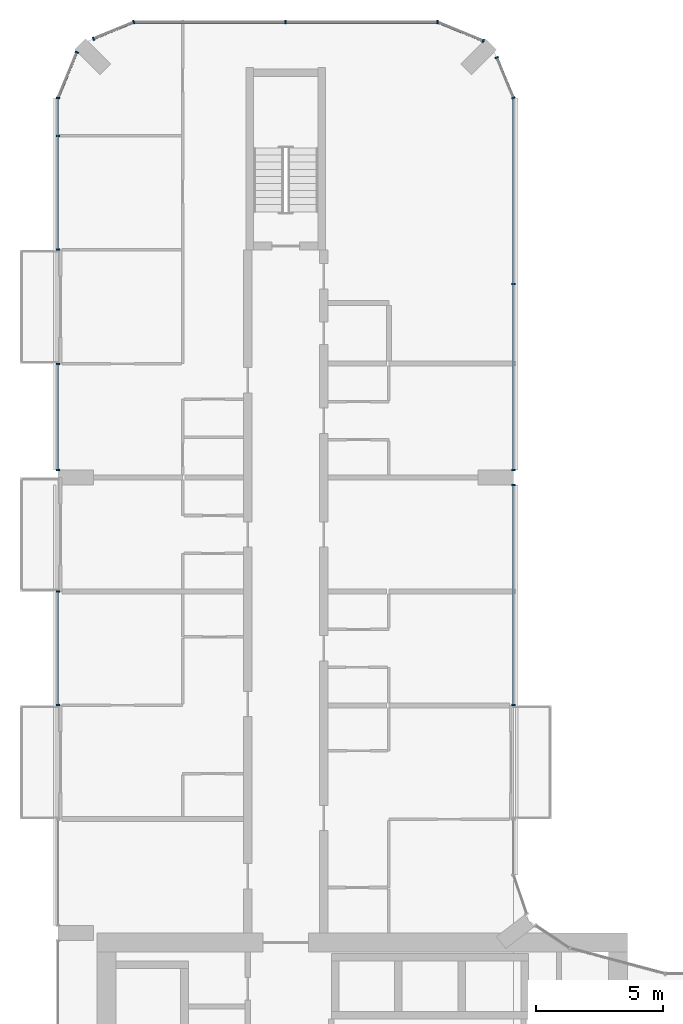
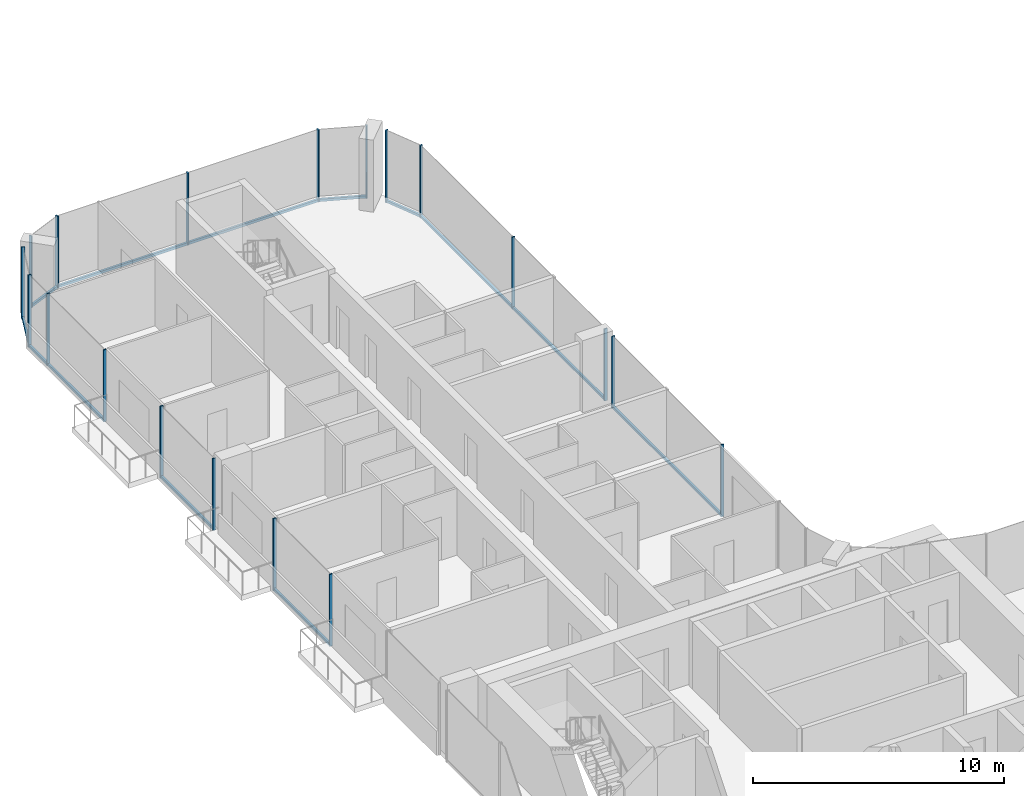
# One storey, part 6 of 22: 29 members, 10 elements without a shape of their own.
"""IFC4 building model written with IfcOpenShell, lengths in metres."""

from ifc_helpers import new_model, si_unit, direction, frame, origin, origin_2d, place, context, subcontext, project, spatial, rectangle, extrude, material, layer, layer_set, material_profile, profile_set, type_object, element, aggregate, save


model = new_model("IFC4")

# Units and contexts
model_context = context("Model", 3, precision=1e-05, world=origin(), true_north=direction((0.0, 1.0)))
body_context = subcontext(model_context, "Body", "Model", "MODEL_VIEW")
ifc_project = project(units=[si_unit("LENGTHUNIT", "METRE"), si_unit("AREAUNIT", "SQUARE_METRE"), si_unit("VOLUMEUNIT", "CUBIC_METRE"), si_unit("PLANEANGLEUNIT", "RADIAN"), si_unit("MASSUNIT", "GRAM", prefix="KILO")], contexts=[model_context])

# Site, building, storey
site_placement = place(None, origin())
site = spatial("IfcSite", under=ifc_project, at=site_placement, CompositionType="ELEMENT")
building_placement = place(site_placement, origin())
building = spatial("IfcBuilding", under=site, at=building_placement, Name="Plateau Cross Towers", CompositionType="ELEMENT")
storey_placement = place(building_placement, frame((0.0, 0.0, 58.300048828125)))
storey = spatial("IfcBuildingStorey", under=building, at=storey_placement, Name="L14", CompositionType="ELEMENT", Elevation=58.300048828125)

# Curtain wall, members
ifc_material_1 = material(Name="Dark low-iron glass", Category="glass")
ifc_layer = layer(ifc_material_1, 0.239990234375)
ifc_layer_set = layer_set([ifc_layer], Name="Dark low-iron glass")
curtain_wall_type = type_object("IfcCurtainWallType", Name="Curtain wall flush unitised CW-B", PredefinedType="NOTDEFINED", material=ifc_layer_set)
curtain_wall_1_placement = place(storey_placement, origin())
curtain_wall_1 = element("IfcCurtainWall", 1, at=curtain_wall_1_placement, inside=storey, type_object=curtain_wall_type, Name="ENV/A/L14/A180_270", PredefinedType="NOTDEFINED")
ifc_material_2 = material(Name="Black anodised aluminium", Category="aluminium")
ifc_material_profile_1 = material_profile(ifc_material_2, rectangle(XDim=0.06005859375, YDim=0.139892578125, at=origin_2d()), Name="MULLION 60x140")
ifc_profile_set_1 = profile_set([ifc_material_profile_1], Name="Black anodised aluminium")
member_type_1 = type_object("IfcMemberType", Name="Mullion 60x140 flush unitised", PredefinedType="MULLION", material=ifc_profile_set_1)
member_1_placement = place(storey_placement, frame((18.0, 27.010009765625, -0.25), z_axis=(0.0, 0.0, 1.0), x_axis=(0.0, 1.0, 0.0)))
member_1 = element("IfcMember", 2, at=member_1_placement, type_object=member_type_1, Name="CW-B mullion 1", PredefinedType="MULLION", context=body_context, shape_type="SweptSolid", body=[
    extrude(rectangle(XDim=0.06005859375, YDim=0.139892578125, at=origin_2d()), origin(), (0.0, 0.0, 1.0), 3.5),
])
member_2_placement = place(storey_placement, frame((18.0, 35.699951171875, -0.25), z_axis=(0.0, 0.0, 1.0), x_axis=(0.0, 1.0, 0.0)))
member_2 = element("IfcMember", 3, at=member_2_placement, type_object=member_type_1, Name="CW-B mullion 2", PredefinedType="MULLION", context=body_context, shape_type="SweptSolid", body=[
    extrude(rectangle(XDim=0.06005859375, YDim=0.139892578125, at=origin_2d()), origin(), (0.0, 0.0, 1.0), 3.5),
])

curtain_wall_2_placement = place(storey_placement, origin())
curtain_wall_2 = element("IfcCurtainWall", 4, at=curtain_wall_2_placement, inside=storey, type_object=curtain_wall_type, Name="ENV/A/L14/A180_363", PredefinedType="NOTDEFINED")
member_3_placement = place(storey_placement, frame((18.0, 36.300048828125, -0.25), z_axis=(0.0, 0.0, 1.0), x_axis=(0.0, 1.0, 0.0)))
member_3 = element("IfcMember", 5, at=member_3_placement, type_object=member_type_1, Name="CW-B mullion 1", PredefinedType="MULLION", context=body_context, shape_type="SweptSolid", body=[
    extrude(rectangle(XDim=0.06005859375, YDim=0.139892578125, at=origin_2d()), origin(), (0.0, 0.0, 1.0), 3.5),
])
member_4_placement = place(storey_placement, frame((18.0, 43.64990234375, -0.25), z_axis=(0.0, 0.0, 1.0), x_axis=(0.0, 1.0, 0.0)))
member_4 = element("IfcMember", 6, at=member_4_placement, type_object=member_type_1, Name="CW-B mullion 2", PredefinedType="MULLION", context=body_context, shape_type="SweptSolid", body=[
    extrude(rectangle(XDim=0.06005859375, YDim=0.139892578125, at=origin_2d()), origin(), (0.0, 0.0, 1.0), 3.5),
])

curtain_wall_3_placement = place(storey_placement, origin())
curtain_wall_3 = element("IfcCurtainWall", 7, at=curtain_wall_3_placement, inside=storey, type_object=curtain_wall_type, Name="ENV/A/L14/A180_510", PredefinedType="NOTDEFINED")
member_5_placement = place(storey_placement, frame((18.0, 51.0, -0.25), z_axis=(0.0, 0.0, 1.0), x_axis=(-0.382683612978, 0.923879457699, 0.0)))
member_5 = element("IfcMember", 8, at=member_5_placement, type_object=member_type_1, Name="CW-B mullion 1", PredefinedType="MULLION", context=body_context, shape_type="SweptSolid", body=[
    extrude(rectangle(XDim=0.06005859375, YDim=0.139892578125, at=origin_2d()), origin(), (0.0, 0.0, 1.0), 3.5),
])
member_6_placement = place(storey_placement, frame((17.338623046875, 52.5966796875, -0.25), z_axis=(0.0, 0.0, 1.0), x_axis=(-0.382683612978, 0.923879457699, 0.0)))
member_6 = element("IfcMember", 9, at=member_6_placement, type_object=member_type_1, Name="CW-B mullion 2", PredefinedType="MULLION", context=body_context, shape_type="SweptSolid", body=[
    extrude(rectangle(XDim=0.06005859375, YDim=0.139892578125, at=origin_2d()), origin(), (0.0, 0.0, 1.0), 3.5),
])

# Curtain wall, member
curtain_wall_4_placement = place(storey_placement, origin())
curtain_wall_4 = element("IfcCurtainWall", 10, at=curtain_wall_4_placement, inside=storey, type_object=curtain_wall_type, Name="ENV/A/L14/A168_533", PredefinedType="NOTDEFINED")
member_7_placement = place(storey_placement, frame((16.805908203125, 53.251953125, -0.25), z_axis=(0.0, 0.0, 1.0), x_axis=(-0.923879457699, 0.382683612978, 0.0)))
member_7 = element("IfcMember", 11, at=member_7_placement, type_object=member_type_1, Name="CW-B mullion 1", PredefinedType="MULLION", context=body_context, shape_type="SweptSolid", body=[
    extrude(rectangle(XDim=0.06005859375, YDim=0.139892578125, at=origin_2d()), origin(), (0.0, 0.0, 1.0), 3.5),
])

# Curtain wall, members
curtain_wall_5_placement = place(storey_placement, origin())
curtain_wall_5 = element("IfcCurtainWall", 12, at=curtain_wall_5_placement, inside=storey, type_object=curtain_wall_type, Name="ENV/A/L14/A150_540", PredefinedType="NOTDEFINED")
member_8_placement = place(storey_placement, frame((15.0, 54.0, -0.25), z_axis=(0.0, 0.0, 1.0), x_axis=(-1.0, 0.0, 0.0)))
member_8 = element("IfcMember", 13, at=member_8_placement, type_object=member_type_1, Name="CW-B mullion 1", PredefinedType="MULLION", context=body_context, shape_type="SweptSolid", body=[
    extrude(rectangle(XDim=0.06005859375, YDim=0.139892578125, at=origin_2d()), origin(), (0.0, 0.0, 1.0), 3.5),
])
member_9_placement = place(storey_placement, frame((9.0, 54.0, -0.25), z_axis=(0.0, 0.0, 1.0), x_axis=(-1.0, 0.0, 0.0)))
member_9 = element("IfcMember", 14, at=member_9_placement, type_object=member_type_1, Name="CW-B mullion 2", PredefinedType="MULLION", context=body_context, shape_type="SweptSolid", body=[
    extrude(rectangle(XDim=0.06005859375, YDim=0.139892578125, at=origin_2d()), origin(), (0.0, 0.0, 1.0), 3.5),
])

curtain_wall_6_placement = place(storey_placement, origin())
curtain_wall_6 = element("IfcCurtainWall", 15, at=curtain_wall_6_placement, inside=storey, type_object=curtain_wall_type, Name="ENV/A/L14/A30_540", PredefinedType="NOTDEFINED")
member_10_placement = place(storey_placement, frame((3.0, 54.0, -0.25), z_axis=(0.0, 0.0, 1.0), x_axis=(-0.923879457699, -0.382683612978, 0.0)))
member_10 = element("IfcMember", 16, at=member_10_placement, type_object=member_type_1, Name="CW-B mullion 1", PredefinedType="MULLION", context=body_context, shape_type="SweptSolid", body=[
    extrude(rectangle(XDim=0.06005859375, YDim=0.139892578125, at=origin_2d()), origin(), (0.0, 0.0, 1.0), 3.5),
])
member_11_placement = place(storey_placement, frame((1.4033203125, 53.338623046875, -0.25), z_axis=(0.0, 0.0, 1.0), x_axis=(-0.923879457699, -0.382683612978, 0.0)))
member_11 = element("IfcMember", 17, at=member_11_placement, type_object=member_type_1, Name="CW-B mullion 2", PredefinedType="MULLION", context=body_context, shape_type="SweptSolid", body=[
    extrude(rectangle(XDim=0.06005859375, YDim=0.139892578125, at=origin_2d()), origin(), (0.0, 0.0, 1.0), 3.5),
])

# Curtain wall, member
curtain_wall_7_placement = place(storey_placement, origin())
curtain_wall_7 = element("IfcCurtainWall", 18, at=curtain_wall_7_placement, inside=storey, type_object=curtain_wall_type, Name="ENV/A/L14/A7_528", PredefinedType="NOTDEFINED")
member_12_placement = place(storey_placement, frame((0.748046875, 52.805908203125, -0.25), z_axis=(0.0, 0.0, 1.0), x_axis=(-0.382683612978, -0.923879457699, 0.0)))
member_12 = element("IfcMember", 19, at=member_12_placement, type_object=member_type_1, Name="CW-B mullion 1", PredefinedType="MULLION", context=body_context, shape_type="SweptSolid", body=[
    extrude(rectangle(XDim=0.06005859375, YDim=0.139892578125, at=origin_2d()), origin(), (0.0, 0.0, 1.0), 3.5),
])

# Curtain wall, members
curtain_wall_8_placement = place(storey_placement, origin())
curtain_wall_8 = element("IfcCurtainWall", 20, at=curtain_wall_8_placement, inside=storey, type_object=curtain_wall_type, Name="ENV/A/L14/A0_510", PredefinedType="NOTDEFINED")
member_13_placement = place(storey_placement, frame((0.0, 51.0, -0.25), z_axis=(0.0, 0.0, 1.0), x_axis=(0.0, -1.0, 0.0)))
member_13 = element("IfcMember", 21, at=member_13_placement, type_object=member_type_1, Name="CW-B mullion 1", PredefinedType="MULLION", context=body_context, shape_type="SweptSolid", body=[
    extrude(rectangle(XDim=0.06005859375, YDim=0.139892578125, at=origin_2d()), origin(), (0.0, 0.0, 1.0), 3.5),
])
member_14_placement = place(storey_placement, frame((0.0, 49.5, -0.25), z_axis=(0.0, 0.0, 1.0), x_axis=(0.0, -1.0, 0.0)))
member_14 = element("IfcMember", 22, at=member_14_placement, type_object=member_type_1, Name="CW-B mullion 2", PredefinedType="MULLION", context=body_context, shape_type="SweptSolid", body=[
    extrude(rectangle(XDim=0.06005859375, YDim=0.139892578125, at=origin_2d()), origin(), (0.0, 0.0, 1.0), 3.5),
])
member_15_placement = place(storey_placement, frame((0.0, 45.010009765625, -0.25), z_axis=(0.0, 0.0, 1.0), x_axis=(0.0, -1.0, 0.0)))
member_15 = element("IfcMember", 23, at=member_15_placement, type_object=member_type_1, Name="CW-B mullion 3", PredefinedType="MULLION", context=body_context, shape_type="SweptSolid", body=[
    extrude(rectangle(XDim=0.06005859375, YDim=0.139892578125, at=origin_2d()), origin(), (0.0, 0.0, 1.0), 3.5),
])

curtain_wall_9_placement = place(storey_placement, origin())
curtain_wall_9 = element("IfcCurtainWall", 24, at=curtain_wall_9_placement, inside=storey, type_object=curtain_wall_type, Name="ENV/A/L14/A0_405", PredefinedType="NOTDEFINED")
member_16_placement = place(storey_placement, frame((0.0, 40.489990234375, -0.25), z_axis=(0.0, 0.0, 1.0), x_axis=(0.0, -1.0, 0.0)))
member_16 = element("IfcMember", 25, at=member_16_placement, type_object=member_type_1, Name="CW-B mullion 1", PredefinedType="MULLION", context=body_context, shape_type="SweptSolid", body=[
    extrude(rectangle(XDim=0.06005859375, YDim=0.139892578125, at=origin_2d()), origin(), (0.0, 0.0, 1.0), 3.5),
])
member_17_placement = place(storey_placement, frame((0.0, 36.300048828125, -0.25), z_axis=(0.0, 0.0, 1.0), x_axis=(0.0, -1.0, 0.0)))
member_17 = element("IfcMember", 26, at=member_17_placement, type_object=member_type_1, Name="CW-B mullion 2", PredefinedType="MULLION", context=body_context, shape_type="SweptSolid", body=[
    extrude(rectangle(XDim=0.06005859375, YDim=0.139892578125, at=origin_2d()), origin(), (0.0, 0.0, 1.0), 3.5),
])

curtain_wall_10_placement = place(storey_placement, origin())
curtain_wall_10 = element("IfcCurtainWall", 27, at=curtain_wall_10_placement, inside=storey, type_object=curtain_wall_type, Name="ENV/A/L14/A0_315", PredefinedType="NOTDEFINED")
member_18_placement = place(storey_placement, frame((0.0, 31.489990234375, -0.25), z_axis=(0.0, 0.0, 1.0), x_axis=(0.0, -1.0, 0.0)))
member_18 = element("IfcMember", 28, at=member_18_placement, type_object=member_type_1, Name="CW-B mullion 1", PredefinedType="MULLION", context=body_context, shape_type="SweptSolid", body=[
    extrude(rectangle(XDim=0.06005859375, YDim=0.139892578125, at=origin_2d()), origin(), (0.0, 0.0, 1.0), 3.5),
])
member_19_placement = place(storey_placement, frame((0.0, 27.010009765625, -0.25), z_axis=(0.0, 0.0, 1.0), x_axis=(0.0, -1.0, 0.0)))
member_19 = element("IfcMember", 29, at=member_19_placement, type_object=member_type_1, Name="CW-B mullion 2", PredefinedType="MULLION", context=body_context, shape_type="SweptSolid", body=[
    extrude(rectangle(XDim=0.06005859375, YDim=0.139892578125, at=origin_2d()), origin(), (0.0, 0.0, 1.0), 3.5),
])

# Member
ifc_material_profile_2 = material_profile(ifc_material_2, rectangle(XDim=0.10009765625, YDim=0.1201171875, at=origin_2d()), Name="TRANSOM 100x120")
ifc_profile_set_2 = profile_set([ifc_material_profile_2], Name="Black anodised aluminium")
member_type_2 = type_object("IfcMemberType", Name="Transom 100x120 flush unitised", PredefinedType="USERDEFINED", material=ifc_profile_set_2)
member_20_placement = place(storey_placement, frame((18.0, 27.010009765625, -0.18994140625), z_axis=(0.0, 1.0, 0.0), x_axis=(-1.0, 0.0, 0.0)))
member_20 = element("IfcMember", 30, at=member_20_placement, type_object=member_type_2, Name="CW-B transom", ObjectType="TRANSOM", PredefinedType="USERDEFINED", context=body_context, shape_type="SweptSolid", body=[
    extrude(rectangle(XDim=0.10009765625, YDim=0.1201171875, at=origin_2d()), origin(), (0.0, 0.0, 1.0), 8.68994140625),
])

aggregate(curtain_wall_1, [member_1, member_2, member_20])

member_21_placement = place(storey_placement, frame((18.0, 36.300048828125, -0.18994140625), z_axis=(0.0, 1.0, 0.0), x_axis=(-1.0, 0.0, 0.0)))
member_21 = element("IfcMember", 31, at=member_21_placement, type_object=member_type_2, Name="CW-B transom", ObjectType="TRANSOM", PredefinedType="USERDEFINED", context=body_context, shape_type="SweptSolid", body=[
    extrude(rectangle(XDim=0.10009765625, YDim=0.1201171875, at=origin_2d()), origin(), (0.0, 0.0, 1.0), 14.699951171875),
])

aggregate(curtain_wall_2, [member_3, member_4, member_21])

member_22_placement = place(storey_placement, frame((18.0, 51.0, -0.18994140625), z_axis=(-0.382688653628, 0.923877369776, 0.0), x_axis=(-0.923877369776, -0.382688653628, 0.0)))
member_22 = element("IfcMember", 32, at=member_22_placement, type_object=member_type_2, Name="CW-B transom", ObjectType="TRANSOM", PredefinedType="USERDEFINED", context=body_context, shape_type="SweptSolid", body=[
    extrude(rectangle(XDim=0.10009765625, YDim=0.1201171875, at=origin_2d()), origin(), (0.0, 0.0, 1.0), 1.728271484375),
])

aggregate(curtain_wall_3, [member_5, member_6, member_22])

member_23_placement = place(storey_placement, frame((16.805908203125, 53.251953125, -0.18994140625), z_axis=(-0.92387678234, 0.382690071798, 0.0), x_axis=(-0.382690071798, -0.92387678234, 0.0)))
member_23 = element("IfcMember", 33, at=member_23_placement, type_object=member_type_2, Name="CW-B transom", ObjectType="TRANSOM", PredefinedType="USERDEFINED", context=body_context, shape_type="SweptSolid", body=[
    extrude(rectangle(XDim=0.10009765625, YDim=0.1201171875, at=origin_2d()), origin(), (0.0, 0.0, 1.0), 1.95458984375),
])

aggregate(curtain_wall_4, [member_7, member_23])

member_24_placement = place(storey_placement, frame((15.0, 54.0, -0.18994140625), z_axis=(-1.0, 0.0, 0.0), x_axis=(0.0, -1.0, 0.0)))
member_24 = element("IfcMember", 34, at=member_24_placement, type_object=member_type_2, Name="CW-B transom", ObjectType="TRANSOM", PredefinedType="USERDEFINED", context=body_context, shape_type="SweptSolid", body=[
    extrude(rectangle(XDim=0.10009765625, YDim=0.1201171875, at=origin_2d()), origin(), (0.0, 0.0, 1.0), 12.0),
])

aggregate(curtain_wall_5, [member_8, member_9, member_24])

member_25_placement = place(storey_placement, frame((3.0, 54.0, -0.18994140625), z_axis=(-0.923877369776, -0.382688653628, 0.0), x_axis=(0.382688653628, -0.923877369776, 0.0)))
member_25 = element("IfcMember", 35, at=member_25_placement, type_object=member_type_2, Name="CW-B transom", ObjectType="TRANSOM", PredefinedType="USERDEFINED", context=body_context, shape_type="SweptSolid", body=[
    extrude(rectangle(XDim=0.10009765625, YDim=0.1201171875, at=origin_2d()), origin(), (0.0, 0.0, 1.0), 1.728271484375),
])

aggregate(curtain_wall_6, [member_10, member_11, member_25])

member_26_placement = place(storey_placement, frame((0.748046875, 52.805908203125, -0.18994140625), z_axis=(-0.382690071798, -0.92387678234, 0.0), x_axis=(0.92387678234, -0.382690071798, 0.0)))
member_26 = element("IfcMember", 36, at=member_26_placement, type_object=member_type_2, Name="CW-B transom", ObjectType="TRANSOM", PredefinedType="USERDEFINED", context=body_context, shape_type="SweptSolid", body=[
    extrude(rectangle(XDim=0.10009765625, YDim=0.1201171875, at=origin_2d()), origin(), (0.0, 0.0, 1.0), 1.95458984375),
])

aggregate(curtain_wall_7, [member_12, member_26])

member_27_placement = place(storey_placement, frame((0.0, 51.0, -0.18994140625), z_axis=(0.0, -1.0, 0.0), x_axis=(1.0, 0.0, 0.0)))
member_27 = element("IfcMember", 37, at=member_27_placement, type_object=member_type_2, Name="CW-B transom", ObjectType="TRANSOM", PredefinedType="USERDEFINED", context=body_context, shape_type="SweptSolid", body=[
    extrude(rectangle(XDim=0.10009765625, YDim=0.1201171875, at=origin_2d()), origin(), (0.0, 0.0, 1.0), 5.989990234375),
])

aggregate(curtain_wall_8, [member_13, member_14, member_15, member_27])

member_28_placement = place(storey_placement, frame((0.0, 40.489990234375, -0.18994140625), z_axis=(0.0, -1.0, 0.0), x_axis=(1.0, 0.0, 0.0)))
member_28 = element("IfcMember", 38, at=member_28_placement, type_object=member_type_2, Name="CW-B transom", ObjectType="TRANSOM", PredefinedType="USERDEFINED", context=body_context, shape_type="SweptSolid", body=[
    extrude(rectangle(XDim=0.10009765625, YDim=0.1201171875, at=origin_2d()), origin(), (0.0, 0.0, 1.0), 4.18994140625),
])

aggregate(curtain_wall_9, [member_16, member_17, member_28])

member_29_placement = place(storey_placement, frame((0.0, 31.489990234375, -0.18994140625), z_axis=(0.0, -1.0, 0.0), x_axis=(1.0, 0.0, 0.0)))
member_29 = element("IfcMember", 39, at=member_29_placement, type_object=member_type_2, Name="CW-B transom", ObjectType="TRANSOM", PredefinedType="USERDEFINED", context=body_context, shape_type="SweptSolid", body=[
    extrude(rectangle(XDim=0.10009765625, YDim=0.1201171875, at=origin_2d()), origin(), (0.0, 0.0, 1.0), 4.47998046875),
])

aggregate(curtain_wall_10, [member_18, member_19, member_29])

save(model, "model.ifc")
